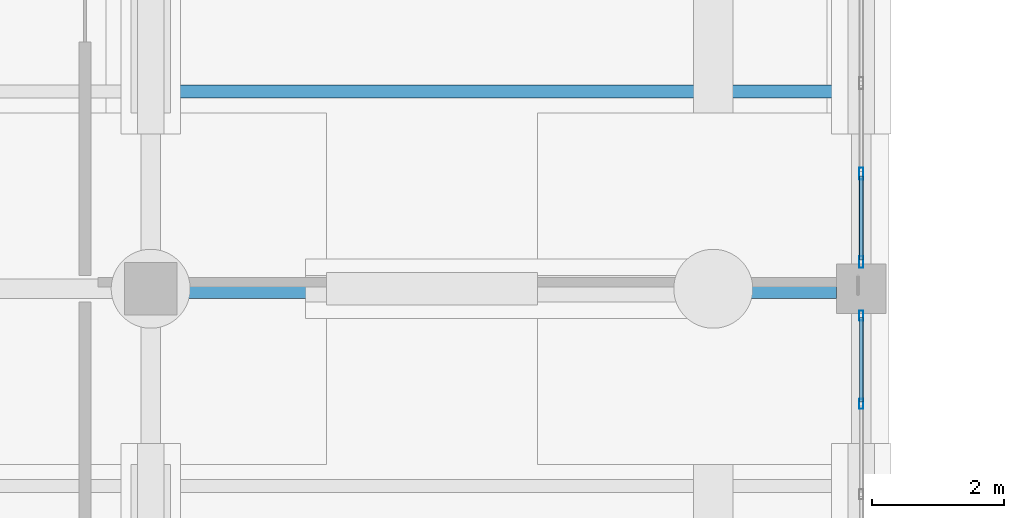
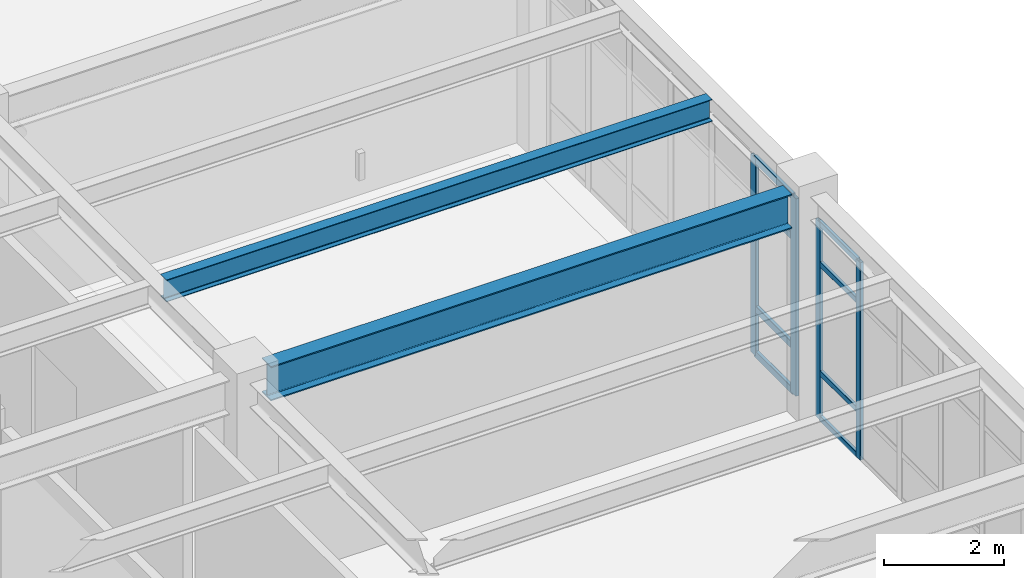
# One storey, part 45 of 98: 12 members, 2 beams, 2 elements without a shape of their own.
"""IFC4 building model written with IfcOpenShell, lengths in metres."""

from ifc_helpers import new_model, si_unit, direction, frame, origin, origin_2d, place, context, subcontext, project, spatial, hollow_rectangle, i_section, extrude, material, material_profile, profile_set, type_object, element, aggregate, save


model = new_model("IFC4")

# Units and contexts
model_context = context("Model", 3, precision=1e-05, world=origin(), true_north=direction((0.0, 1.0)))
body_context = subcontext(model_context, "Body", "Model", "MODEL_VIEW")
ifc_project = project(units=[si_unit("LENGTHUNIT", "METRE"), si_unit("AREAUNIT", "SQUARE_METRE"), si_unit("VOLUMEUNIT", "CUBIC_METRE"), si_unit("PLANEANGLEUNIT", "RADIAN"), si_unit("MASSUNIT", "GRAM", prefix="KILO")], contexts=[model_context])

# Site, building, storey
site_placement = place(None, origin())
site = spatial("IfcSite", under=ifc_project, at=site_placement, CompositionType="ELEMENT")
building_placement = place(site_placement, origin())
building = spatial("IfcBuilding", under=site, at=building_placement, Name="Canglan Escarpment Cableway Terminal", CompositionType="ELEMENT")
storey_placement = place(building_placement, frame((0.0, 0.0, 9.60009765625)))
storey = spatial("IfcBuildingStorey", under=building, at=storey_placement, Name="L02", CompositionType="ELEMENT", Elevation=9.60009765625)

# Beam
ifc_material_1 = material(Name="Steel Q355C", Category="steel")
ifc_material_profile_1 = material_profile(ifc_material_1, i_section(OverallWidth=0.300048828125, OverallDepth=0.699951171875, WebThickness=0.012939453125, FlangeThickness=0.02392578125, FilletRadius=0.028076171875, at=origin_2d()), Name="HN 700x300x13x24")
ifc_profile_set_1 = profile_set([ifc_material_profile_1], Name="Steel Q355C")
beam_type_1 = type_object("IfcBeamType", Name="BM-HN700", PredefinedType="BEAM", material=ifc_profile_set_1)
beam_1_placement = place(storey_placement, frame((126.300048828125, 61.0, 4.169921875), z_axis=(1.0, 0.0, 0.0), x_axis=(0.0, 1.0, 0.0)))
element("IfcBeam", 1, at=beam_1_placement, inside=storey, type_object=beam_type_1, Name="Primary structural girder B-06", PredefinedType="BEAM", context=body_context, shape_type="SweptSolid", body=[
    extrude(i_section(OverallWidth=0.300048828125, OverallDepth=0.699951171875, WebThickness=0.012939453125, FlangeThickness=0.02392578125, FilletRadius=0.028076171875, at=origin_2d()), origin(), (0.0, 0.0, 1.0), 10.02490234375),
])

# Curtain wall, members
ifc_material_2 = material(Name="Anodized bronze aluminium and Low-E double glazing", Category="aluminium")
curtain_wall_type = type_object("IfcCurtainWallType", Name="CW-BAY-8250x4025", PredefinedType="NOTDEFINED", material=ifc_material_2)
curtain_wall_1_placement = place(storey_placement, origin())
curtain_wall_1 = element("IfcCurtainWall", 2, at=curtain_wall_1_placement, inside=storey, type_object=curtain_wall_type, Name="Classical bay-between-piers glazed curtain wall CW-43", PredefinedType="NOTDEFINED")
ifc_material_3 = material(Name="Thermally broken anodized aluminium 6063-T6", Category="aluminium")
ifc_material_profile_2 = material_profile(ifc_material_3, hollow_rectangle(XDim=0.06494140625, YDim=0.14990234375, WallThickness=0.00341796875, InnerFilletRadius=0.00341796875, OuterFilletRadius=0.007080078125, at=origin_2d()), Name="ALU-MULL 65x150x3.5")
ifc_profile_set_2 = profile_set([ifc_material_profile_2], Name="Thermally broken anodized aluminium 6063-T6")
member_type_1 = type_object("IfcMemberType", Name="CWM-02", PredefinedType="MULLION", material=ifc_profile_set_2)
member_1_placement = place(storey_placement, frame((136.699951171875, 59.25, 0.0), z_axis=(0.0, 0.0, 1.0), x_axis=(-1.0, 0.0, 0.0)))
member_1 = element("IfcMember", 3, at=member_1_placement, type_object=member_type_1, Name="CW-43 mullion 6", PredefinedType="MULLION", context=body_context, shape_type="SweptSolid", body=[
    extrude(hollow_rectangle(XDim=0.06494140625, YDim=0.14990234375, WallThickness=0.00341796875, InnerFilletRadius=0.00341796875, OuterFilletRadius=0.007080078125, at=origin_2d()), origin(), (0.0, 0.0, 1.0), 4.016845703125),
])
member_2_placement = place(storey_placement, frame((136.699951171875, 60.592529296875, 0.0), z_axis=(0.0, 0.0, 1.0), x_axis=(-1.0, 0.0, 0.0)))
member_2 = element("IfcMember", 4, at=member_2_placement, type_object=member_type_1, Name="CW-43 mullion 7", PredefinedType="MULLION", context=body_context, shape_type="SweptSolid", body=[
    extrude(hollow_rectangle(XDim=0.06494140625, YDim=0.14990234375, WallThickness=0.00341796875, InnerFilletRadius=0.00341796875, OuterFilletRadius=0.007080078125, at=origin_2d()), origin(), (0.0, 0.0, 1.0), 4.016845703125),
])

curtain_wall_2_placement = place(storey_placement, origin())
curtain_wall_2 = element("IfcCurtainWall", 5, at=curtain_wall_2_placement, inside=storey, type_object=curtain_wall_type, Name="Classical bay-between-piers glazed curtain wall CW-43", PredefinedType="NOTDEFINED")
ifc_material_profile_3 = material_profile(ifc_material_3, hollow_rectangle(XDim=0.06494140625, YDim=0.179931640625, WallThickness=0.00390625, InnerFilletRadius=0.00390625, OuterFilletRadius=0.008056640625, at=origin_2d()), Name="ALU-MULL 65x180x4")
ifc_profile_set_3 = profile_set([ifc_material_profile_3], Name="Thermally broken anodized aluminium 6063-T6")
member_type_2 = type_object("IfcMemberType", Name="CWM-03", PredefinedType="MULLION", material=ifc_profile_set_3)
member_3_placement = place(storey_placement, frame((136.699951171875, 61.407470703125, 0.0), z_axis=(0.0, 0.0, 1.0), x_axis=(-1.0, 0.0, 0.0)))
member_3 = element("IfcMember", 6, at=member_3_placement, type_object=member_type_2, Name="CW-43 mullion 1", PredefinedType="MULLION", context=body_context, shape_type="SweptSolid", body=[
    extrude(hollow_rectangle(XDim=0.06494140625, YDim=0.179931640625, WallThickness=0.00390625, InnerFilletRadius=0.00390625, OuterFilletRadius=0.008056640625, at=origin_2d()), origin(), (0.0, 0.0, 1.0), 4.016845703125),
])
member_4_placement = place(storey_placement, frame((136.699951171875, 62.75, 0.0), z_axis=(0.0, 0.0, 1.0), x_axis=(-1.0, 0.0, 0.0)))
member_4 = element("IfcMember", 7, at=member_4_placement, type_object=member_type_2, Name="CW-43 mullion 2", PredefinedType="MULLION", context=body_context, shape_type="SweptSolid", body=[
    extrude(hollow_rectangle(XDim=0.06494140625, YDim=0.179931640625, WallThickness=0.00390625, InnerFilletRadius=0.00390625, OuterFilletRadius=0.008056640625, at=origin_2d()), origin(), (0.0, 0.0, 1.0), 4.016845703125),
])

# Member
ifc_material_profile_4 = material_profile(ifc_material_3, hollow_rectangle(XDim=0.06005859375, YDim=0.110107421875, WallThickness=0.0029296875, InnerFilletRadius=0.0029296875, OuterFilletRadius=0.006103515625, at=origin_2d()), Name="ALU-TRAN 60x110x3")
ifc_profile_set_4 = profile_set([ifc_material_profile_4], Name="Thermally broken anodized aluminium 6063-T6")
member_type_3 = type_object("IfcMemberType", Name="CWT-02", PredefinedType="USERDEFINED", material=ifc_profile_set_4)
member_5_placement = place(storey_placement, frame((136.699951171875, 59.282470703125, 0.02978515625), z_axis=(0.0, 1.0, 0.0), x_axis=(-1.0, 0.0, 0.0)))
member_5 = element("IfcMember", 8, at=member_5_placement, type_object=member_type_3, Name="CW-43 transom 6.1", ObjectType="TRANSOM", PredefinedType="USERDEFINED", context=body_context, shape_type="SweptSolid", body=[
    extrude(hollow_rectangle(XDim=0.06005859375, YDim=0.110107421875, WallThickness=0.0029296875, InnerFilletRadius=0.0029296875, OuterFilletRadius=0.006103515625, at=origin_2d()), origin(), (0.0, 0.0, 1.0), 1.277587890625),
])

member_6_placement = place(storey_placement, frame((136.699951171875, 59.282470703125, 0.949951171875), z_axis=(0.0, 1.0, 0.0), x_axis=(-1.0, 0.0, 0.0)))
member_6 = element("IfcMember", 9, at=member_6_placement, type_object=member_type_3, Name="CW-43 transom 6.2", ObjectType="TRANSOM", PredefinedType="USERDEFINED", context=body_context, shape_type="SweptSolid", body=[
    extrude(hollow_rectangle(XDim=0.06005859375, YDim=0.110107421875, WallThickness=0.0029296875, InnerFilletRadius=0.0029296875, OuterFilletRadius=0.006103515625, at=origin_2d()), origin(), (0.0, 0.0, 1.0), 1.277587890625),
])

member_7_placement = place(storey_placement, frame((136.699951171875, 59.282470703125, 3.1669921875), z_axis=(0.0, 1.0, 0.0), x_axis=(-1.0, 0.0, 0.0)))
member_7 = element("IfcMember", 10, at=member_7_placement, type_object=member_type_3, Name="CW-43 transom 6.3", ObjectType="TRANSOM", PredefinedType="USERDEFINED", context=body_context, shape_type="SweptSolid", body=[
    extrude(hollow_rectangle(XDim=0.06005859375, YDim=0.110107421875, WallThickness=0.0029296875, InnerFilletRadius=0.0029296875, OuterFilletRadius=0.006103515625, at=origin_2d()), origin(), (0.0, 0.0, 1.0), 1.277587890625),
])

member_8_placement = place(storey_placement, frame((136.699951171875, 59.282470703125, 3.98681640625), z_axis=(0.0, 1.0, 0.0), x_axis=(-1.0, 0.0, 0.0)))
member_8 = element("IfcMember", 11, at=member_8_placement, type_object=member_type_3, Name="CW-43 transom 6.4", ObjectType="TRANSOM", PredefinedType="USERDEFINED", context=body_context, shape_type="SweptSolid", body=[
    extrude(hollow_rectangle(XDim=0.06005859375, YDim=0.110107421875, WallThickness=0.0029296875, InnerFilletRadius=0.0029296875, OuterFilletRadius=0.006103515625, at=origin_2d()), origin(), (0.0, 0.0, 1.0), 1.277587890625),
])

aggregate(curtain_wall_1, [member_1, member_2, member_5, member_6, member_7, member_8])

ifc_material_profile_5 = material_profile(ifc_material_3, hollow_rectangle(XDim=0.06494140625, YDim=0.139892578125, WallThickness=0.00341796875, InnerFilletRadius=0.00341796875, OuterFilletRadius=0.007080078125, at=origin_2d()), Name="ALU-TRAN 65x140x3.5")
ifc_profile_set_5 = profile_set([ifc_material_profile_5], Name="Thermally broken anodized aluminium 6063-T6")
member_type_4 = type_object("IfcMemberType", Name="CWT-03", PredefinedType="USERDEFINED", material=ifc_profile_set_5)
member_9_placement = place(storey_placement, frame((136.699951171875, 61.43994140625, 0.032470703125), z_axis=(0.0, 1.0, 0.0), x_axis=(-1.0, 0.0, 0.0)))
member_9 = element("IfcMember", 12, at=member_9_placement, type_object=member_type_4, Name="CW-43 transom 1.1", ObjectType="TRANSOM", PredefinedType="USERDEFINED", context=body_context, shape_type="SweptSolid", body=[
    extrude(hollow_rectangle(XDim=0.06494140625, YDim=0.139892578125, WallThickness=0.00341796875, InnerFilletRadius=0.00341796875, OuterFilletRadius=0.007080078125, at=origin_2d()), origin(), (0.0, 0.0, 1.0), 1.277587890625),
])

member_10_placement = place(storey_placement, frame((136.699951171875, 61.43994140625, 0.949951171875), z_axis=(0.0, 1.0, 0.0), x_axis=(-1.0, 0.0, 0.0)))
member_10 = element("IfcMember", 13, at=member_10_placement, type_object=member_type_4, Name="CW-43 transom 1.2", ObjectType="TRANSOM", PredefinedType="USERDEFINED", context=body_context, shape_type="SweptSolid", body=[
    extrude(hollow_rectangle(XDim=0.06494140625, YDim=0.139892578125, WallThickness=0.00341796875, InnerFilletRadius=0.00341796875, OuterFilletRadius=0.007080078125, at=origin_2d()), origin(), (0.0, 0.0, 1.0), 1.277587890625),
])

member_11_placement = place(storey_placement, frame((136.699951171875, 61.43994140625, 3.1669921875), z_axis=(0.0, 1.0, 0.0), x_axis=(-1.0, 0.0, 0.0)))
member_11 = element("IfcMember", 14, at=member_11_placement, type_object=member_type_4, Name="CW-43 transom 1.3", ObjectType="TRANSOM", PredefinedType="USERDEFINED", context=body_context, shape_type="SweptSolid", body=[
    extrude(hollow_rectangle(XDim=0.06494140625, YDim=0.139892578125, WallThickness=0.00341796875, InnerFilletRadius=0.00341796875, OuterFilletRadius=0.007080078125, at=origin_2d()), origin(), (0.0, 0.0, 1.0), 1.277587890625),
])

member_12_placement = place(storey_placement, frame((136.699951171875, 61.43994140625, 3.984375), z_axis=(0.0, 1.0, 0.0), x_axis=(-1.0, 0.0, 0.0)))
member_12 = element("IfcMember", 15, at=member_12_placement, type_object=member_type_4, Name="CW-43 transom 1.4", ObjectType="TRANSOM", PredefinedType="USERDEFINED", context=body_context, shape_type="SweptSolid", body=[
    extrude(hollow_rectangle(XDim=0.06494140625, YDim=0.139892578125, WallThickness=0.00341796875, InnerFilletRadius=0.00341796875, OuterFilletRadius=0.007080078125, at=origin_2d()), origin(), (0.0, 0.0, 1.0), 1.277587890625),
])

aggregate(curtain_wall_2, [member_3, member_4, member_9, member_10, member_11, member_12])

# Beam
ifc_material_4 = material(Name="Steel Q355B", Category="steel")
ifc_material_profile_6 = material_profile(ifc_material_4, i_section(OverallWidth=0.199951171875, OverallDepth=0.449951171875, WebThickness=0.009033203125, FlangeThickness=0.013916015625, FilletRadius=0.01806640625, at=origin_2d()), Name="HN 450x200x9x14")
ifc_profile_set_6 = profile_set([ifc_material_profile_6], Name="Steel Q355B")
beam_type_2 = type_object("IfcBeamType", Name="JS-HN450", PredefinedType="JOIST", material=ifc_profile_set_6)
beam_2_placement = place(storey_placement, frame((126.050048828125, 64.0, 4.294921875), z_axis=(1.0, 0.0, 0.0), x_axis=(0.0, 1.0, 0.0)))
element("IfcBeam", 16, at=beam_2_placement, inside=storey, type_object=beam_type_2, Name="Secondary composite deck joist J-02", PredefinedType="JOIST", context=body_context, shape_type="SweptSolid", body=[
    extrude(i_section(OverallWidth=0.199951171875, OverallDepth=0.449951171875, WebThickness=0.009033203125, FlangeThickness=0.013916015625, FilletRadius=0.01806640625, at=origin_2d()), origin(), (0.0, 0.0, 1.0), 10.5),
])

save(model, "model.ifc")
